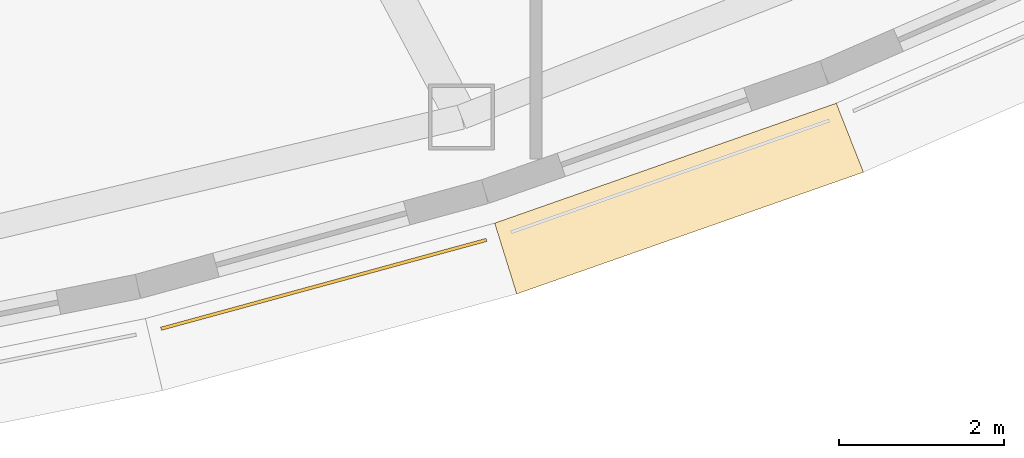
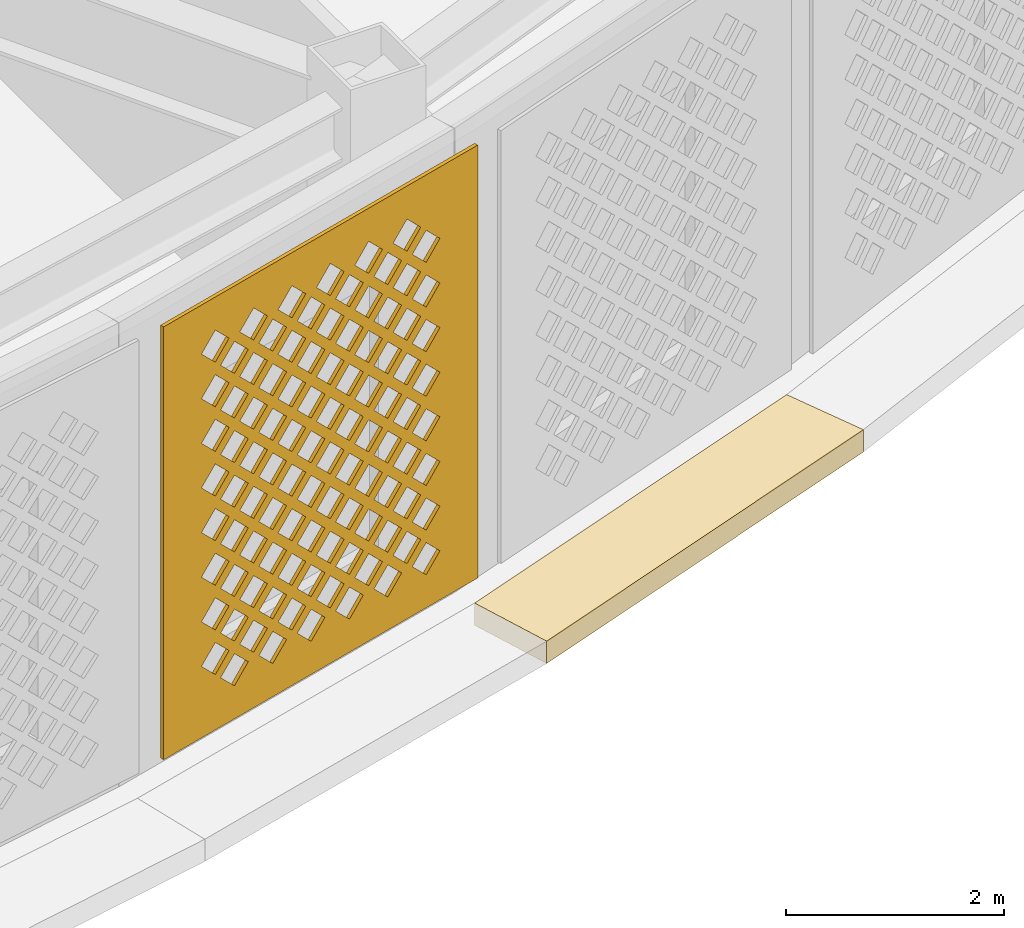
# One storey, part 51 of 63: 2 coverings.
"""IFC4 building model written with IfcOpenShell, lengths in metres."""

from ifc_helpers import new_model, si_unit, direction, frame, origin, place, context, subcontext, project, spatial, polyline, outline, extrude, material, layer, layer_set, type_object, element, save


model = new_model("IFC4")

# Units and contexts
model_context = context("Model", 3, precision=1e-05, world=origin(), true_north=direction((0.0, 1.0)))
body_context = subcontext(model_context, "Body", "Model", "MODEL_VIEW")
ifc_project = project(units=[si_unit("LENGTHUNIT", "METRE"), si_unit("AREAUNIT", "SQUARE_METRE"), si_unit("VOLUMEUNIT", "CUBIC_METRE"), si_unit("PLANEANGLEUNIT", "RADIAN"), si_unit("MASSUNIT", "GRAM", prefix="KILO")], contexts=[model_context])

# Site, building, storey
site_placement = place(None, origin())
site = spatial("IfcSite", under=ifc_project, at=site_placement, CompositionType="ELEMENT")
building_placement = place(site_placement, origin())
building = spatial("IfcBuilding", under=site, at=building_placement, Name="Noorbagh Ring Tower", CompositionType="ELEMENT")
storey_placement = place(building_placement, frame((0.0, 0.0, 25.0)))
storey = spatial("IfcBuildingStorey", under=building, at=storey_placement, Name="L04", CompositionType="ELEMENT", Elevation=25.0)

# Coverings
ifc_material_1 = material(Name="Red sandstone eave", Category="masonry")
covering_type_1 = type_object("IfcCoveringType", Name="STY-CHHAJJA", PredefinedType="USERDEFINED", material=ifc_material_1)
covering_1_placement = place(storey_placement, frame((0.0, 0.0, -0.25)))
element("IfcCovering", 1, at=covering_1_placement, inside=storey, type_object=covering_type_1, Name="Chhajja eave", ObjectType="CHHAJJA", PredefinedType="USERDEFINED", context=body_context, shape_type="SweptSolid", body=[
    extrude(outline(polyline([(19.49853515625, -37.081298828125), (23.647216796875, -35.624755859375), (23.976806640625, -36.462890625), (19.7666015625, -37.941162109375), (19.49853515625, -37.081298828125)])), origin(), (0.0, 0.0, 1.0), 0.25),
])
ifc_material_2 = material(Name="Red sandstone jali", Category="masonry")
ifc_layer = layer(ifc_material_2, 0.0400390625)
ifc_layer_set = layer_set([ifc_layer], Name="Red sandstone jali")
covering_type_2 = type_object("IfcCoveringType", Name="STY-JALI", PredefinedType="USERDEFINED", material=ifc_layer_set)
covering_2_placement = place(storey_placement, frame((15.45166015625, -38.38330078125, 0.449951171875), z_axis=(0.26339977228, -0.964686767797, 0.0), x_axis=(0.964686767797, 0.26339977228, 0.0)))
element("IfcCovering", 2, at=covering_2_placement, inside=storey, type_object=covering_type_2, Name="Jali screen", ObjectType="SCREEN", PredefinedType="USERDEFINED", context=body_context, shape_type="SweptSolid", body=[
    extrude(outline(polyline([(0.0, 0.0), (4.096923828125, 0.0), (4.096923828125, 4.85009765625), (0.0, 4.85009765625), (0.0, 0.0)]), holes=[polyline([(0.743408203125, 0.550048828125), (0.923583984375, 0.3701171875), (1.103515625, 0.550048828125), (0.923583984375, 0.72998046875), (0.743408203125, 0.550048828125)]), polyline([(1.243408203125, 0.550048828125), (1.423583984375, 0.3701171875), (1.603515625, 0.550048828125), (1.423583984375, 0.72998046875), (1.243408203125, 0.550048828125)]), polyline([(1.743408203125, 0.550048828125), (1.923583984375, 0.3701171875), (2.103515625, 0.550048828125), (1.923583984375, 0.72998046875), (1.743408203125, 0.550048828125)]), polyline([(2.243408203125, 0.550048828125), (2.423583984375, 0.3701171875), (2.603515625, 0.550048828125), (2.423583984375, 0.72998046875), (2.243408203125, 0.550048828125)]), polyline([(2.743408203125, 0.550048828125), (2.923583984375, 0.3701171875), (3.103515625, 0.550048828125), (2.923583984375, 0.72998046875), (2.743408203125, 0.550048828125)]), polyline([(3.243408203125, 0.550048828125), (3.423583984375, 0.3701171875), (3.603515625, 0.550048828125), (3.423583984375, 0.72998046875), (3.243408203125, 0.550048828125)]), polyline([(0.493408203125, 0.800048828125), (0.673583984375, 0.6201171875), (0.853515625, 0.800048828125), (0.673583984375, 0.97998046875), (0.493408203125, 0.800048828125)]), polyline([(0.993408203125, 0.800048828125), (1.173583984375, 0.6201171875), (1.353515625, 0.800048828125), (1.173583984375, 0.97998046875), (0.993408203125, 0.800048828125)]), polyline([(1.493408203125, 0.800048828125), (1.673583984375, 0.6201171875), (1.853515625, 0.800048828125), (1.673583984375, 0.97998046875), (1.493408203125, 0.800048828125)]), polyline([(1.993408203125, 0.800048828125), (2.173583984375, 0.6201171875), (2.353515625, 0.800048828125), (2.173583984375, 0.97998046875), (1.993408203125, 0.800048828125)]), polyline([(2.493408203125, 0.800048828125), (2.673583984375, 0.6201171875), (2.853515625, 0.800048828125), (2.673583984375, 0.97998046875), (2.493408203125, 0.800048828125)]), polyline([(2.993408203125, 0.800048828125), (3.173583984375, 0.6201171875), (3.353515625, 0.800048828125), (3.173583984375, 0.97998046875), (2.993408203125, 0.800048828125)]), polyline([(0.743408203125, 1.050048828125), (0.923583984375, 0.8701171875), (1.103515625, 1.050048828125), (0.923583984375, 1.22998046875), (0.743408203125, 1.050048828125)]), polyline([(1.243408203125, 1.050048828125), (1.423583984375, 0.8701171875), (1.603515625, 1.050048828125), (1.423583984375, 1.22998046875), (1.243408203125, 1.050048828125)]), polyline([(1.743408203125, 1.050048828125), (1.923583984375, 0.8701171875), (2.103515625, 1.050048828125), (1.923583984375, 1.22998046875), (1.743408203125, 1.050048828125)]), polyline([(2.243408203125, 1.050048828125), (2.423583984375, 0.8701171875), (2.603515625, 1.050048828125), (2.423583984375, 1.22998046875), (2.243408203125, 1.050048828125)]), polyline([(2.743408203125, 1.050048828125), (2.923583984375, 0.8701171875), (3.103515625, 1.050048828125), (2.923583984375, 1.22998046875), (2.743408203125, 1.050048828125)]), polyline([(3.243408203125, 1.050048828125), (3.423583984375, 0.8701171875), (3.603515625, 1.050048828125), (3.423583984375, 1.22998046875), (3.243408203125, 1.050048828125)]), polyline([(0.493408203125, 1.300048828125), (0.673583984375, 1.1201171875), (0.853515625, 1.300048828125), (0.673583984375, 1.47998046875), (0.493408203125, 1.300048828125)]), polyline([(0.993408203125, 1.300048828125), (1.173583984375, 1.1201171875), (1.353515625, 1.300048828125), (1.173583984375, 1.47998046875), (0.993408203125, 1.300048828125)]), polyline([(1.493408203125, 1.300048828125), (1.673583984375, 1.1201171875), (1.853515625, 1.300048828125), (1.673583984375, 1.47998046875), (1.493408203125, 1.300048828125)]), polyline([(1.993408203125, 1.300048828125), (2.173583984375, 1.1201171875), (2.353515625, 1.300048828125), (2.173583984375, 1.47998046875), (1.993408203125, 1.300048828125)]), polyline([(2.493408203125, 1.300048828125), (2.673583984375, 1.1201171875), (2.853515625, 1.300048828125), (2.673583984375, 1.47998046875), (2.493408203125, 1.300048828125)]), polyline([(2.993408203125, 1.300048828125), (3.173583984375, 1.1201171875), (3.353515625, 1.300048828125), (3.173583984375, 1.47998046875), (2.993408203125, 1.300048828125)]), polyline([(0.743408203125, 1.550048828125), (0.923583984375, 1.3701171875), (1.103515625, 1.550048828125), (0.923583984375, 1.72998046875), (0.743408203125, 1.550048828125)]), polyline([(1.243408203125, 1.550048828125), (1.423583984375, 1.3701171875), (1.603515625, 1.550048828125), (1.423583984375, 1.72998046875), (1.243408203125, 1.550048828125)]), polyline([(1.743408203125, 1.550048828125), (1.923583984375, 1.3701171875), (2.103515625, 1.550048828125), (1.923583984375, 1.72998046875), (1.743408203125, 1.550048828125)]), polyline([(2.243408203125, 1.550048828125), (2.423583984375, 1.3701171875), (2.603515625, 1.550048828125), (2.423583984375, 1.72998046875), (2.243408203125, 1.550048828125)]), polyline([(2.743408203125, 1.550048828125), (2.923583984375, 1.3701171875), (3.103515625, 1.550048828125), (2.923583984375, 1.72998046875), (2.743408203125, 1.550048828125)]), polyline([(3.243408203125, 1.550048828125), (3.423583984375, 1.3701171875), (3.603515625, 1.550048828125), (3.423583984375, 1.72998046875), (3.243408203125, 1.550048828125)]), polyline([(0.493408203125, 1.800048828125), (0.673583984375, 1.6201171875), (0.853515625, 1.800048828125), (0.673583984375, 1.97998046875), (0.493408203125, 1.800048828125)]), polyline([(0.993408203125, 1.800048828125), (1.173583984375, 1.6201171875), (1.353515625, 1.800048828125), (1.173583984375, 1.97998046875), (0.993408203125, 1.800048828125)]), polyline([(1.493408203125, 1.800048828125), (1.673583984375, 1.6201171875), (1.853515625, 1.800048828125), (1.673583984375, 1.97998046875), (1.493408203125, 1.800048828125)]), polyline([(1.993408203125, 1.800048828125), (2.173583984375, 1.6201171875), (2.353515625, 1.800048828125), (2.173583984375, 1.97998046875), (1.993408203125, 1.800048828125)]), polyline([(2.493408203125, 1.800048828125), (2.673583984375, 1.6201171875), (2.853515625, 1.800048828125), (2.673583984375, 1.97998046875), (2.493408203125, 1.800048828125)]), polyline([(2.993408203125, 1.800048828125), (3.173583984375, 1.6201171875), (3.353515625, 1.800048828125), (3.173583984375, 1.97998046875), (2.993408203125, 1.800048828125)]), polyline([(0.743408203125, 2.050048828125), (0.923583984375, 1.8701171875), (1.103515625, 2.050048828125), (0.923583984375, 2.22998046875), (0.743408203125, 2.050048828125)]), polyline([(1.243408203125, 2.050048828125), (1.423583984375, 1.8701171875), (1.603515625, 2.050048828125), (1.423583984375, 2.22998046875), (1.243408203125, 2.050048828125)]), polyline([(1.743408203125, 2.050048828125), (1.923583984375, 1.8701171875), (2.103515625, 2.050048828125), (1.923583984375, 2.22998046875), (1.743408203125, 2.050048828125)]), polyline([(2.243408203125, 2.050048828125), (2.423583984375, 1.8701171875), (2.603515625, 2.050048828125), (2.423583984375, 2.22998046875), (2.243408203125, 2.050048828125)]), polyline([(2.743408203125, 2.050048828125), (2.923583984375, 1.8701171875), (3.103515625, 2.050048828125), (2.923583984375, 2.22998046875), (2.743408203125, 2.050048828125)]), polyline([(3.243408203125, 2.050048828125), (3.423583984375, 1.8701171875), (3.603515625, 2.050048828125), (3.423583984375, 2.22998046875), (3.243408203125, 2.050048828125)]), polyline([(0.493408203125, 2.300048828125), (0.673583984375, 2.1201171875), (0.853515625, 2.300048828125), (0.673583984375, 2.47998046875), (0.493408203125, 2.300048828125)]), polyline([(0.993408203125, 2.300048828125), (1.173583984375, 2.1201171875), (1.353515625, 2.300048828125), (1.173583984375, 2.47998046875), (0.993408203125, 2.300048828125)]), polyline([(1.493408203125, 2.300048828125), (1.673583984375, 2.1201171875), (1.853515625, 2.300048828125), (1.673583984375, 2.47998046875), (1.493408203125, 2.300048828125)]), polyline([(1.993408203125, 2.300048828125), (2.173583984375, 2.1201171875), (2.353515625, 2.300048828125), (2.173583984375, 2.47998046875), (1.993408203125, 2.300048828125)]), polyline([(2.493408203125, 2.300048828125), (2.673583984375, 2.1201171875), (2.853515625, 2.300048828125), (2.673583984375, 2.47998046875), (2.493408203125, 2.300048828125)]), polyline([(2.993408203125, 2.300048828125), (3.173583984375, 2.1201171875), (3.353515625, 2.300048828125), (3.173583984375, 2.47998046875), (2.993408203125, 2.300048828125)]), polyline([(0.743408203125, 2.550048828125), (0.923583984375, 2.3701171875), (1.103515625, 2.550048828125), (0.923583984375, 2.72998046875), (0.743408203125, 2.550048828125)]), polyline([(1.243408203125, 2.550048828125), (1.423583984375, 2.3701171875), (1.603515625, 2.550048828125), (1.423583984375, 2.72998046875), (1.243408203125, 2.550048828125)]), polyline([(1.743408203125, 2.550048828125), (1.923583984375, 2.3701171875), (2.103515625, 2.550048828125), (1.923583984375, 2.72998046875), (1.743408203125, 2.550048828125)]), polyline([(2.243408203125, 2.550048828125), (2.423583984375, 2.3701171875), (2.603515625, 2.550048828125), (2.423583984375, 2.72998046875), (2.243408203125, 2.550048828125)]), polyline([(2.743408203125, 2.550048828125), (2.923583984375, 2.3701171875), (3.103515625, 2.550048828125), (2.923583984375, 2.72998046875), (2.743408203125, 2.550048828125)]), polyline([(3.243408203125, 2.550048828125), (3.423583984375, 2.3701171875), (3.603515625, 2.550048828125), (3.423583984375, 2.72998046875), (3.243408203125, 2.550048828125)]), polyline([(0.493408203125, 2.800048828125), (0.673583984375, 2.6201171875), (0.853515625, 2.800048828125), (0.673583984375, 2.97998046875), (0.493408203125, 2.800048828125)]), polyline([(0.993408203125, 2.800048828125), (1.173583984375, 2.6201171875), (1.353515625, 2.800048828125), (1.173583984375, 2.97998046875), (0.993408203125, 2.800048828125)]), polyline([(1.493408203125, 2.800048828125), (1.673583984375, 2.6201171875), (1.853515625, 2.800048828125), (1.673583984375, 2.97998046875), (1.493408203125, 2.800048828125)]), polyline([(1.993408203125, 2.800048828125), (2.173583984375, 2.6201171875), (2.353515625, 2.800048828125), (2.173583984375, 2.97998046875), (1.993408203125, 2.800048828125)]), polyline([(2.493408203125, 2.800048828125), (2.673583984375, 2.6201171875), (2.853515625, 2.800048828125), (2.673583984375, 2.97998046875), (2.493408203125, 2.800048828125)]), polyline([(2.993408203125, 2.800048828125), (3.173583984375, 2.6201171875), (3.353515625, 2.800048828125), (3.173583984375, 2.97998046875), (2.993408203125, 2.800048828125)]), polyline([(0.743408203125, 3.050048828125), (0.923583984375, 2.8701171875), (1.103515625, 3.050048828125), (0.923583984375, 3.22998046875), (0.743408203125, 3.050048828125)]), polyline([(1.243408203125, 3.050048828125), (1.423583984375, 2.8701171875), (1.603515625, 3.050048828125), (1.423583984375, 3.22998046875), (1.243408203125, 3.050048828125)]), polyline([(1.743408203125, 3.050048828125), (1.923583984375, 2.8701171875), (2.103515625, 3.050048828125), (1.923583984375, 3.22998046875), (1.743408203125, 3.050048828125)]), polyline([(2.243408203125, 3.050048828125), (2.423583984375, 2.8701171875), (2.603515625, 3.050048828125), (2.423583984375, 3.22998046875), (2.243408203125, 3.050048828125)]), polyline([(2.743408203125, 3.050048828125), (2.923583984375, 2.8701171875), (3.103515625, 3.050048828125), (2.923583984375, 3.22998046875), (2.743408203125, 3.050048828125)]), polyline([(3.243408203125, 3.050048828125), (3.423583984375, 2.8701171875), (3.603515625, 3.050048828125), (3.423583984375, 3.22998046875), (3.243408203125, 3.050048828125)]), polyline([(0.493408203125, 3.300048828125), (0.673583984375, 3.1201171875), (0.853515625, 3.300048828125), (0.673583984375, 3.47998046875), (0.493408203125, 3.300048828125)]), polyline([(0.993408203125, 3.300048828125), (1.173583984375, 3.1201171875), (1.353515625, 3.300048828125), (1.173583984375, 3.47998046875), (0.993408203125, 3.300048828125)]), polyline([(1.493408203125, 3.300048828125), (1.673583984375, 3.1201171875), (1.853515625, 3.300048828125), (1.673583984375, 3.47998046875), (1.493408203125, 3.300048828125)]), polyline([(1.993408203125, 3.300048828125), (2.173583984375, 3.1201171875), (2.353515625, 3.300048828125), (2.173583984375, 3.47998046875), (1.993408203125, 3.300048828125)]), polyline([(2.493408203125, 3.300048828125), (2.673583984375, 3.1201171875), (2.853515625, 3.300048828125), (2.673583984375, 3.47998046875), (2.493408203125, 3.300048828125)]), polyline([(2.993408203125, 3.300048828125), (3.173583984375, 3.1201171875), (3.353515625, 3.300048828125), (3.173583984375, 3.47998046875), (2.993408203125, 3.300048828125)]), polyline([(0.743408203125, 3.550048828125), (0.923583984375, 3.3701171875), (1.103515625, 3.550048828125), (0.923583984375, 3.72998046875), (0.743408203125, 3.550048828125)]), polyline([(1.243408203125, 3.550048828125), (1.423583984375, 3.3701171875), (1.603515625, 3.550048828125), (1.423583984375, 3.72998046875), (1.243408203125, 3.550048828125)]), polyline([(1.743408203125, 3.550048828125), (1.923583984375, 3.3701171875), (2.103515625, 3.550048828125), (1.923583984375, 3.72998046875), (1.743408203125, 3.550048828125)]), polyline([(2.243408203125, 3.550048828125), (2.423583984375, 3.3701171875), (2.603515625, 3.550048828125), (2.423583984375, 3.72998046875), (2.243408203125, 3.550048828125)]), polyline([(2.743408203125, 3.550048828125), (2.923583984375, 3.3701171875), (3.103515625, 3.550048828125), (2.923583984375, 3.72998046875), (2.743408203125, 3.550048828125)]), polyline([(3.243408203125, 3.550048828125), (3.423583984375, 3.3701171875), (3.603515625, 3.550048828125), (3.423583984375, 3.72998046875), (3.243408203125, 3.550048828125)]), polyline([(0.493408203125, 3.800048828125), (0.673583984375, 3.6201171875), (0.853515625, 3.800048828125), (0.673583984375, 3.97998046875), (0.493408203125, 3.800048828125)]), polyline([(0.993408203125, 3.800048828125), (1.173583984375, 3.6201171875), (1.353515625, 3.800048828125), (1.173583984375, 3.97998046875), (0.993408203125, 3.800048828125)]), polyline([(1.493408203125, 3.800048828125), (1.673583984375, 3.6201171875), (1.853515625, 3.800048828125), (1.673583984375, 3.97998046875), (1.493408203125, 3.800048828125)]), polyline([(1.993408203125, 3.800048828125), (2.173583984375, 3.6201171875), (2.353515625, 3.800048828125), (2.173583984375, 3.97998046875), (1.993408203125, 3.800048828125)]), polyline([(2.493408203125, 3.800048828125), (2.673583984375, 3.6201171875), (2.853515625, 3.800048828125), (2.673583984375, 3.97998046875), (2.493408203125, 3.800048828125)]), polyline([(2.993408203125, 3.800048828125), (3.173583984375, 3.6201171875), (3.353515625, 3.800048828125), (3.173583984375, 3.97998046875), (2.993408203125, 3.800048828125)]), polyline([(0.743408203125, 4.050048828125), (0.923583984375, 3.8701171875), (1.103515625, 4.050048828125), (0.923583984375, 4.22998046875), (0.743408203125, 4.050048828125)]), polyline([(1.243408203125, 4.050048828125), (1.423583984375, 3.8701171875), (1.603515625, 4.050048828125), (1.423583984375, 4.22998046875), (1.243408203125, 4.050048828125)]), polyline([(1.743408203125, 4.050048828125), (1.923583984375, 3.8701171875), (2.103515625, 4.050048828125), (1.923583984375, 4.22998046875), (1.743408203125, 4.050048828125)]), polyline([(2.243408203125, 4.050048828125), (2.423583984375, 3.8701171875), (2.603515625, 4.050048828125), (2.423583984375, 4.22998046875), (2.243408203125, 4.050048828125)]), polyline([(2.743408203125, 4.050048828125), (2.923583984375, 3.8701171875), (3.103515625, 4.050048828125), (2.923583984375, 4.22998046875), (2.743408203125, 4.050048828125)]), polyline([(3.243408203125, 4.050048828125), (3.423583984375, 3.8701171875), (3.603515625, 4.050048828125), (3.423583984375, 4.22998046875), (3.243408203125, 4.050048828125)]), polyline([(0.493408203125, 4.300048828125), (0.673583984375, 4.1201171875), (0.853515625, 4.300048828125), (0.673583984375, 4.47998046875), (0.493408203125, 4.300048828125)]), polyline([(0.993408203125, 4.300048828125), (1.173583984375, 4.1201171875), (1.353515625, 4.300048828125), (1.173583984375, 4.47998046875), (0.993408203125, 4.300048828125)]), polyline([(1.493408203125, 4.300048828125), (1.673583984375, 4.1201171875), (1.853515625, 4.300048828125), (1.673583984375, 4.47998046875), (1.493408203125, 4.300048828125)]), polyline([(1.993408203125, 4.300048828125), (2.173583984375, 4.1201171875), (2.353515625, 4.300048828125), (2.173583984375, 4.47998046875), (1.993408203125, 4.300048828125)]), polyline([(2.493408203125, 4.300048828125), (2.673583984375, 4.1201171875), (2.853515625, 4.300048828125), (2.673583984375, 4.47998046875), (2.493408203125, 4.300048828125)]), polyline([(2.993408203125, 4.300048828125), (3.173583984375, 4.1201171875), (3.353515625, 4.300048828125), (3.173583984375, 4.47998046875), (2.993408203125, 4.300048828125)])]), origin(), (0.0, 0.0, -1.0), 0.0400390625),
])

save(model, "model.ifc")
